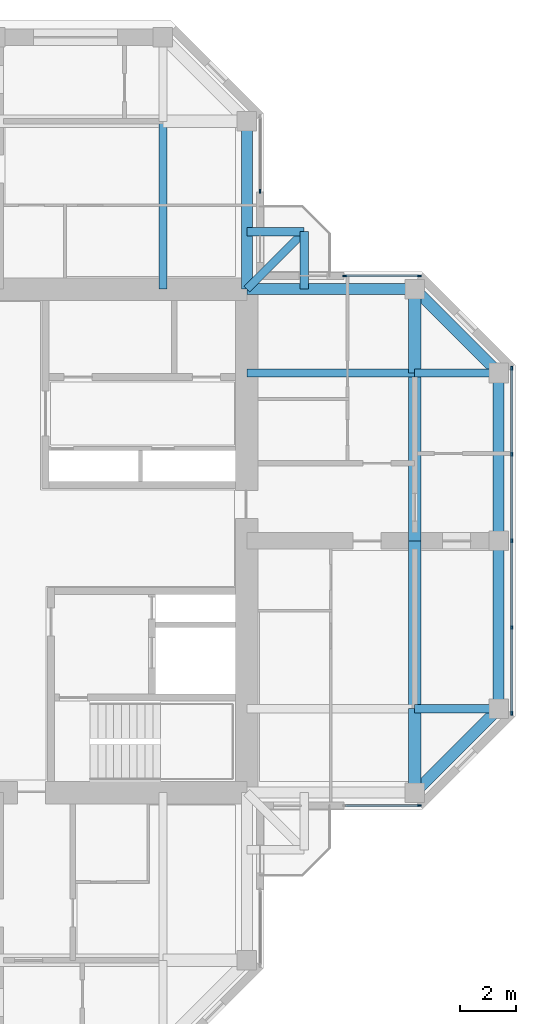
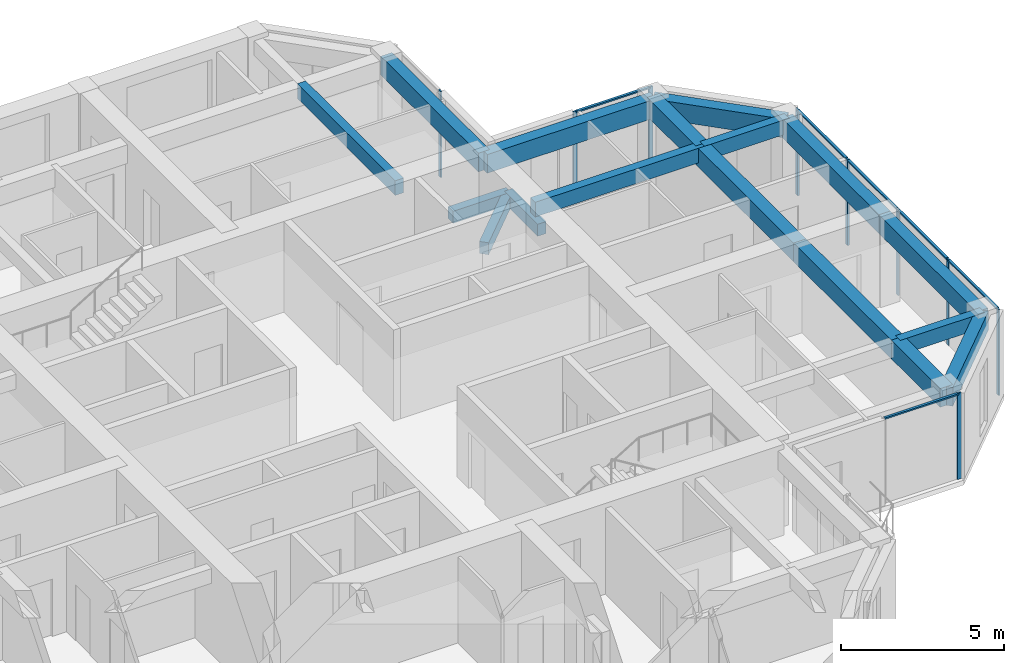
# One storey, part 5 of 13: 17 beams, 15 members, 4 elements without a shape of their own.
"""IFC4 building model written with IfcOpenShell, lengths in metres."""

from ifc_helpers import new_model, si_unit, direction, frame, origin, origin_2d, place, context, subcontext, project, spatial, rectangle, extrude, material, material_profile, profile_set, type_object, element, aggregate, save


model = new_model("IFC4")

# Units and contexts
model_context = context("Model", 3, precision=1e-05, world=origin(), true_north=direction((0.0, 1.0)))
body_context = subcontext(model_context, "Body", "Model", "MODEL_VIEW")
ifc_project = project(units=[si_unit("LENGTHUNIT", "METRE"), si_unit("AREAUNIT", "SQUARE_METRE"), si_unit("VOLUMEUNIT", "CUBIC_METRE"), si_unit("PLANEANGLEUNIT", "RADIAN"), si_unit("MASSUNIT", "GRAM", prefix="KILO")], contexts=[model_context])

# Site, building, storey
site_placement = place(None, origin())
site = spatial("IfcSite", under=ifc_project, at=site_placement, CompositionType="ELEMENT")
building_placement = place(site_placement, origin())
building = spatial("IfcBuilding", under=site, at=building_placement, Name="Torre Cruceta", CompositionType="ELEMENT")
storey_placement = place(building_placement, frame((0.0, 0.0, 278.10009765625)))
storey = spatial("IfcBuildingStorey", under=building, at=storey_placement, Name="L72", CompositionType="ELEMENT", Elevation=278.10009765625)

# Beams
ifc_material_1 = material(Name="Concrete G60 (fck 60 MPa)", Category="concrete")
ifc_material_profile_1 = material_profile(ifc_material_1, rectangle(XDim=0.300048828125, YDim=0.449951171875, at=origin_2d()), Name="RC 300X450")
ifc_profile_set_1 = profile_set([ifc_material_profile_1], Name="Concrete G60 (fck 60 MPa)")
beam_type_1 = type_object("IfcBeamType", Name="BALCONY CANTILEVER BEAM RC 300X450", PredefinedType="BEAM", material=ifc_profile_set_1)
beam_1_placement = place(storey_placement, frame((9.0, 9.0, -0.405029296875), z_axis=(0.707106781187, 0.707106781187, 0.0), x_axis=(-0.707106781187, 0.707106781187, 0.0)))
element("IfcBeam", 1, at=beam_1_placement, inside=storey, type_object=beam_type_1, Name="BB1 balcony beam L72 E", PredefinedType="BEAM", context=body_context, shape_type="SweptSolid", body=[
    extrude(rectangle(XDim=0.300048828125, YDim=0.449951171875, at=origin_2d()), origin(), (0.0, 0.0, 1.0), 2.89990234375),
])
for number, where, z_axis, x_axis, name in (
    (2, (11.050537109375, 9.0, -0.405029296875), (0.0, 1.0, 0.0), (-1.0, 0.0, 0.0), "BB1 balcony edge beam L72 E-X"),
    (3, (9.0, 11.050537109375, -0.405029296875), (1.0, 0.0, 0.0), (0.0, 1.0, 0.0), "BB1 balcony edge beam L72 E-Y"),
):
    element("IfcBeam", number, at=place(storey_placement, frame(where, z_axis=z_axis, x_axis=x_axis)), inside=storey, type_object=beam_type_1, Name=name, PredefinedType="BEAM", context=body_context, shape_type="SweptSolid", body=[
        extrude(rectangle(XDim=0.300048828125, YDim=0.449951171875, at=origin_2d()), origin(), (0.0, 0.0, 1.0), 2.050537109375),
    ])
ifc_material_2 = material(Name="Concrete G60 (fck 60 MPa)", Category="concrete")
ifc_material_profile_2 = material_profile(ifc_material_2, rectangle(XDim=0.300048828125, YDim=0.550048828125, at=origin_2d()), Name="RC 300X550")
ifc_profile_set_2 = profile_set([ifc_material_profile_2], Name="Concrete G60 (fck 60 MPa)")
beam_type_2 = type_object("IfcBeamType", Name="COLUMN LINE BEAM RC 300X550", PredefinedType="BEAM", material=ifc_profile_set_2)
beam_2_placement = place(storey_placement, frame((6.0, 9.0, 2.94482421875), z_axis=(0.0, 1.0, 0.0), x_axis=(-1.0, 0.0, 0.0)))
element("IfcBeam", 4, at=beam_2_placement, inside=storey, type_object=beam_type_2, Name="LB10 L72 N col- 1", PredefinedType="BEAM", context=body_context, shape_type="SweptSolid", body=[
    extrude(rectangle(XDim=0.300048828125, YDim=0.550048828125, at=origin_2d()), origin(), (0.0, 0.0, 1.0), 6.0),
])
beam_3_placement = place(storey_placement, frame((15.0, -6.0, 2.94482421875), z_axis=(1.0, 0.0, 0.0), x_axis=(0.0, 1.0, 0.0)))
element("IfcBeam", 5, at=beam_3_placement, inside=storey, type_object=beam_type_2, Name="LB10 L72 E col- 2", PredefinedType="BEAM", context=body_context, shape_type="SweptSolid", body=[
    extrude(rectangle(XDim=0.300048828125, YDim=0.550048828125, at=origin_2d()), origin(), (0.0, 0.0, 1.0), 3.0),
])
beam_4_placement = place(storey_placement, frame((9.0, 6.0, 2.94482421875), z_axis=(1.0, 0.0, 0.0), x_axis=(0.0, 1.0, 0.0)))
element("IfcBeam", 6, at=beam_4_placement, inside=storey, type_object=beam_type_2, Name="LB10 L72 E col+ 1", PredefinedType="BEAM", context=body_context, shape_type="SweptSolid", body=[
    extrude(rectangle(XDim=0.300048828125, YDim=0.550048828125, at=origin_2d()), origin(), (0.0, 0.0, 1.0), 6.0),
])
beam_5_placement = place(storey_placement, frame((15.0, 6.0, 2.94482421875), z_axis=(1.0, 0.0, 0.0), x_axis=(0.0, 1.0, 0.0)))
element("IfcBeam", 7, at=beam_5_placement, inside=storey, type_object=beam_type_2, Name="LB10 L72 E col+ 2", PredefinedType="BEAM", context=body_context, shape_type="SweptSolid", body=[
    extrude(rectangle(XDim=0.300048828125, YDim=0.550048828125, at=origin_2d()), origin(), (0.0, 0.0, 1.0), 3.0),
])
ifc_material_3 = material(Name="Concrete G60 (fck 60 MPa)", Category="concrete")
ifc_material_profile_3 = material_profile(ifc_material_3, rectangle(XDim=0.449951171875, YDim=0.699951171875, at=origin_2d()), Name="RC 450X700")
ifc_profile_set_3 = profile_set([ifc_material_profile_3], Name="Concrete G60 (fck 60 MPa)")
beam_type_3 = type_object("IfcBeamType", Name="CROSS BEAM RC 450X700", PredefinedType="BEAM", material=ifc_profile_set_3)
beam_6_placement = place(storey_placement, frame((15.0, -9.0, 2.869873046875), z_axis=(0.0, 1.0, 0.0), x_axis=(-1.0, 0.0, 0.0)))
element("IfcBeam", 8, at=beam_6_placement, inside=storey, type_object=beam_type_3, Name="GB8 L72 E cross15 1", PredefinedType="BEAM", context=body_context, shape_type="SweptSolid", body=[
    extrude(rectangle(XDim=0.449951171875, YDim=0.699951171875, at=origin_2d()), origin(), (0.0, 0.0, 1.0), 3.0),
])
for number, where, z_axis, x_axis, name in (
    (9, (15.0, -6.0, 2.869873046875), (0.0, 1.0, 0.0), (-1.0, 0.0, 0.0), "GB8 L72 E cross15 2"),
    (10, (15.0, 0.0, 2.869873046875), (0.0, 1.0, 0.0), (-1.0, 0.0, 0.0), "GB8 L72 E cross15 3"),
):
    element("IfcBeam", number, at=place(storey_placement, frame(where, z_axis=z_axis, x_axis=x_axis)), inside=storey, type_object=beam_type_3, Name=name, PredefinedType="BEAM", context=body_context, shape_type="SweptSolid", body=[
        extrude(rectangle(XDim=0.449951171875, YDim=0.699951171875, at=origin_2d()), origin(), (0.0, 0.0, 1.0), 6.0),
    ])
beam_7_placement = place(storey_placement, frame((15.0, 6.0, 2.869873046875), z_axis=(0.0, 1.0, 0.0), x_axis=(-1.0, 0.0, 0.0)))
element("IfcBeam", 11, at=beam_7_placement, inside=storey, type_object=beam_type_3, Name="GB8 L72 E cross15 4", PredefinedType="BEAM", context=body_context, shape_type="SweptSolid", body=[
    extrude(rectangle(XDim=0.449951171875, YDim=0.699951171875, at=origin_2d()), origin(), (0.0, 0.0, 1.0), 3.0),
])

# Curtain wall, member
ifc_material_4 = material(Name="Aluminium unitised curtain wall", Category="aluminium")
curtain_wall_type = type_object("IfcCurtainWallType", Name="CURTAIN WALL CW-E CO-LIVING TOP", PredefinedType="USERDEFINED", material=ifc_material_4)
curtain_wall_1_placement = place(storey_placement, origin())
curtain_wall_1 = element("IfcCurtainWall", 12, at=curtain_wall_1_placement, inside=storey, type_object=curtain_wall_type, Name="CW-E L72 E side 00", ObjectType="UNITISED", PredefinedType="USERDEFINED")
ifc_material_5 = material(Name="Aluminium mullion", Category="aluminium")
ifc_material_profile_4 = material_profile(ifc_material_5, rectangle(XDim=0.054931640625, YDim=0.139892578125, at=origin_2d()), Name="AL 55X140")
ifc_profile_set_4 = profile_set([ifc_material_profile_4], Name="Aluminium mullion")
member_type_1 = type_object("IfcMemberType", Name="CW-E MULLION 55X140", PredefinedType="MULLION", material=ifc_profile_set_4)
member_1_placement = place(storey_placement, frame((15.167236328125, -9.469970703125, 0.0), z_axis=(0.0, 0.0, 1.0), x_axis=(0.0, 1.0, 0.0)))
member_1 = element("IfcMember", 13, at=member_1_placement, type_object=member_type_1, Name="CW-E mullion 2", PredefinedType="MULLION", context=body_context, shape_type="SweptSolid", body=[
    extrude(rectangle(XDim=0.054931640625, YDim=0.139892578125, at=origin_2d()), origin(), (0.0, 0.0, 1.0), 3.219970703125),
])

# Curtain wall, members
curtain_wall_2_placement = place(storey_placement, origin())
curtain_wall_2 = element("IfcCurtainWall", 14, at=curtain_wall_2_placement, inside=storey, type_object=curtain_wall_type, Name="CW-E L72 E tip 02", ObjectType="UNITISED", PredefinedType="USERDEFINED")
member_2_placement = place(storey_placement, frame((18.469970703125, -6.167236328125, 0.0), z_axis=(0.0, 0.0, 1.0), x_axis=(-1.0, 0.0, 0.0)))
member_2 = element("IfcMember", 15, at=member_2_placement, type_object=member_type_1, Name="CW-E mullion 1", PredefinedType="MULLION", context=body_context, shape_type="SweptSolid", body=[
    extrude(rectangle(XDim=0.054931640625, YDim=0.139892578125, at=origin_2d()), origin(), (0.0, 0.0, 1.0), 3.219970703125),
])
member_3_placement = place(storey_placement, frame((18.469970703125, -3.097412109375, 0.0), z_axis=(0.0, 0.0, 1.0), x_axis=(-1.0, 0.0, 0.0)))
member_3 = element("IfcMember", 16, at=member_3_placement, type_object=member_type_1, Name="CW-E mullion 2", PredefinedType="MULLION", context=body_context, shape_type="SweptSolid", body=[
    extrude(rectangle(XDim=0.054931640625, YDim=0.139892578125, at=origin_2d()), origin(), (0.0, 0.0, 1.0), 3.219970703125),
])
member_4_placement = place(storey_placement, frame((18.469970703125, 0.0, 0.0), z_axis=(0.0, 0.0, 1.0), x_axis=(-1.0, 0.0, 0.0)))
member_4 = element("IfcMember", 17, at=member_4_placement, type_object=member_type_1, Name="CW-E mullion 3", PredefinedType="MULLION", context=body_context, shape_type="SweptSolid", body=[
    extrude(rectangle(XDim=0.054931640625, YDim=0.139892578125, at=origin_2d()), origin(), (0.0, 0.0, 1.0), 3.219970703125),
])
member_5_placement = place(storey_placement, frame((18.469970703125, 3.097412109375, 0.0), z_axis=(0.0, 0.0, 1.0), x_axis=(-1.0, 0.0, 0.0)))
member_5 = element("IfcMember", 18, at=member_5_placement, type_object=member_type_1, Name="CW-E mullion 4", PredefinedType="MULLION", context=body_context, shape_type="SweptSolid", body=[
    extrude(rectangle(XDim=0.054931640625, YDim=0.139892578125, at=origin_2d()), origin(), (0.0, 0.0, 1.0), 3.219970703125),
])
member_6_placement = place(storey_placement, frame((18.469970703125, 6.167236328125, 0.0), z_axis=(0.0, 0.0, 1.0), x_axis=(-1.0, 0.0, 0.0)))
member_6 = element("IfcMember", 19, at=member_6_placement, type_object=member_type_1, Name="CW-E mullion 5", PredefinedType="MULLION", context=body_context, shape_type="SweptSolid", body=[
    extrude(rectangle(XDim=0.054931640625, YDim=0.139892578125, at=origin_2d()), origin(), (0.0, 0.0, 1.0), 3.219970703125),
])

curtain_wall_3_placement = place(storey_placement, origin())
curtain_wall_3 = element("IfcCurtainWall", 20, at=curtain_wall_3_placement, inside=storey, type_object=curtain_wall_type, Name="CW-E L72 E side 04", ObjectType="UNITISED", PredefinedType="USERDEFINED")
member_7_placement = place(storey_placement, frame((15.167236328125, 9.469970703125, 0.0), z_axis=(0.0, 0.0, 1.0), x_axis=(0.0, -1.0, 0.0)))
member_7 = element("IfcMember", 21, at=member_7_placement, type_object=member_type_1, Name="CW-E mullion 1", PredefinedType="MULLION", context=body_context, shape_type="SweptSolid", body=[
    extrude(rectangle(XDim=0.054931640625, YDim=0.139892578125, at=origin_2d()), origin(), (0.0, 0.0, 1.0), 3.219970703125),
])
member_8_placement = place(storey_placement, frame((12.49755859375, 9.469970703125, 0.0), z_axis=(0.0, 0.0, 1.0), x_axis=(0.0, -1.0, 0.0)))
member_8 = element("IfcMember", 22, at=member_8_placement, type_object=member_type_1, Name="CW-E mullion 2", PredefinedType="MULLION", context=body_context, shape_type="SweptSolid", body=[
    extrude(rectangle(XDim=0.054931640625, YDim=0.139892578125, at=origin_2d()), origin(), (0.0, 0.0, 1.0), 3.219970703125),
])

# Curtain wall, member
curtain_wall_4_placement = place(storey_placement, origin())
curtain_wall_4 = element("IfcCurtainWall", 23, at=curtain_wall_4_placement, inside=storey, type_object=curtain_wall_type, Name="CW-E L72 N side 05", ObjectType="UNITISED", PredefinedType="USERDEFINED")
member_9_placement = place(storey_placement, frame((9.469970703125, 12.49755859375, 0.0), z_axis=(0.0, 0.0, 1.0), x_axis=(-1.0, 0.0, 0.0)))
member_9 = element("IfcMember", 24, at=member_9_placement, type_object=member_type_1, Name="CW-E mullion 1", PredefinedType="MULLION", context=body_context, shape_type="SweptSolid", body=[
    extrude(rectangle(XDim=0.054931640625, YDim=0.139892578125, at=origin_2d()), origin(), (0.0, 0.0, 1.0), 3.219970703125),
])
aggregate(curtain_wall_4, [member_9])

# Member
ifc_material_6 = material(Name="Aluminium transom", Category="aluminium")
ifc_material_profile_5 = material_profile(ifc_material_6, rectangle(XDim=0.090087890625, YDim=0.054931640625, at=origin_2d()), Name="AL 90X55")
ifc_profile_set_5 = profile_set([ifc_material_profile_5], Name="Aluminium transom")
member_type_2 = type_object("IfcMemberType", Name="CW-E TRANSOM 55X90", PredefinedType="USERDEFINED", material=ifc_profile_set_5)
member_10_placement = place(storey_placement, frame((12.52490234375, -9.469970703125, 3.1923828125), z_axis=(1.0, 0.0, 0.0), x_axis=(0.0, 1.0, 0.0)))
member_10 = element("IfcMember", 25, at=member_10_placement, type_object=member_type_2, Name="CW-E transom 1", ObjectType="TRANSOM", PredefinedType="USERDEFINED", context=body_context, shape_type="SweptSolid", body=[
    extrude(rectangle(XDim=0.090087890625, YDim=0.054931640625, at=origin_2d()), origin(), (0.0, 0.0, 1.0), 2.61474609375),
])

aggregate(curtain_wall_1, [member_1, member_10])

member_11_placement = place(storey_placement, frame((18.469970703125, -6.1396484375, 3.1923828125), z_axis=(0.0, 1.0, 0.0), x_axis=(-1.0, 0.0, 0.0)))
member_11 = element("IfcMember", 26, at=member_11_placement, type_object=member_type_2, Name="CW-E transom 1", ObjectType="TRANSOM", PredefinedType="USERDEFINED", context=body_context, shape_type="SweptSolid", body=[
    extrude(rectangle(XDim=0.090087890625, YDim=0.054931640625, at=origin_2d()), origin(), (0.0, 0.0, 1.0), 3.014892578125),
])

member_12_placement = place(storey_placement, frame((18.469970703125, -3.06982421875, 3.1923828125), z_axis=(0.0, 1.0, 0.0), x_axis=(-1.0, 0.0, 0.0)))
member_12 = element("IfcMember", 27, at=member_12_placement, type_object=member_type_2, Name="CW-E transom 2", ObjectType="TRANSOM", PredefinedType="USERDEFINED", context=body_context, shape_type="SweptSolid", body=[
    extrude(rectangle(XDim=0.090087890625, YDim=0.054931640625, at=origin_2d()), origin(), (0.0, 0.0, 1.0), 3.042236328125),
])

member_13_placement = place(storey_placement, frame((18.469970703125, 0.027587890625, 3.1923828125), z_axis=(0.0, 1.0, 0.0), x_axis=(-1.0, 0.0, 0.0)))
member_13 = element("IfcMember", 28, at=member_13_placement, type_object=member_type_2, Name="CW-E transom 3", ObjectType="TRANSOM", PredefinedType="USERDEFINED", context=body_context, shape_type="SweptSolid", body=[
    extrude(rectangle(XDim=0.090087890625, YDim=0.054931640625, at=origin_2d()), origin(), (0.0, 0.0, 1.0), 3.042236328125),
])

member_14_placement = place(storey_placement, frame((18.469970703125, 3.124755859375, 3.1923828125), z_axis=(0.0, 1.0, 0.0), x_axis=(-1.0, 0.0, 0.0)))
member_14 = element("IfcMember", 29, at=member_14_placement, type_object=member_type_2, Name="CW-E transom 4", ObjectType="TRANSOM", PredefinedType="USERDEFINED", context=body_context, shape_type="SweptSolid", body=[
    extrude(rectangle(XDim=0.090087890625, YDim=0.054931640625, at=origin_2d()), origin(), (0.0, 0.0, 1.0), 3.014892578125),
])

aggregate(curtain_wall_2, [member_2, member_3, member_4, member_5, member_6, member_11, member_12, member_13, member_14])

member_15_placement = place(storey_placement, frame((15.1396484375, 9.469970703125, 3.1923828125), z_axis=(-1.0, 0.0, 0.0), x_axis=(0.0, -1.0, 0.0)))
member_15 = element("IfcMember", 30, at=member_15_placement, type_object=member_type_2, Name="CW-E transom 1", ObjectType="TRANSOM", PredefinedType="USERDEFINED", context=body_context, shape_type="SweptSolid", body=[
    extrude(rectangle(XDim=0.090087890625, YDim=0.054931640625, at=origin_2d()), origin(), (0.0, 0.0, 1.0), 2.61474609375),
])

aggregate(curtain_wall_3, [member_7, member_8, member_15])

# Beams
ifc_material_7 = material(Name="Concrete G60 (fck 60 MPa)", Category="concrete")
ifc_material_profile_6 = material_profile(ifc_material_7, rectangle(XDim=0.39990234375, YDim=0.699951171875, at=origin_2d()), Name="RC 400X700")
ifc_profile_set_6 = profile_set([ifc_material_profile_6], Name="Concrete G60 (fck 60 MPa)")
beam_type_4 = type_object("IfcBeamType", Name="SPANDREL BEAM RC 400X700", PredefinedType="SPANDREL", material=ifc_profile_set_6)
beam_8_placement = place(storey_placement, frame((9.0, 9.0, 2.869873046875), z_axis=(0.0, 1.0, 0.0), x_axis=(-1.0, 0.0, 0.0)))
element("IfcBeam", 31, at=beam_8_placement, inside=storey, type_object=beam_type_4, Name="SB8 L72 N side- 1", PredefinedType="SPANDREL", context=body_context, shape_type="SweptSolid", body=[
    extrude(rectangle(XDim=0.39990234375, YDim=0.699951171875, at=origin_2d()), origin(), (0.0, 0.0, 1.0), 6.0),
])
beam_9_placement = place(storey_placement, frame((15.0, -9.0, 2.869873046875), z_axis=(0.707106781187, 0.707106781187, 0.0), x_axis=(-0.707106781187, 0.707106781187, 0.0)))
element("IfcBeam", 32, at=beam_9_placement, inside=storey, type_object=beam_type_4, Name="SB8 L72 E side- 2", PredefinedType="SPANDREL", context=body_context, shape_type="SweptSolid", body=[
    extrude(rectangle(XDim=0.39990234375, YDim=0.699951171875, at=origin_2d()), origin(), (0.0, 0.0, 1.0), 4.24267578125),
])
beam_10_placement = place(storey_placement, frame((9.0, 9.0, 2.869873046875), z_axis=(1.0, 0.0, 0.0), x_axis=(0.0, 1.0, 0.0)))
element("IfcBeam", 33, at=beam_10_placement, inside=storey, type_object=beam_type_4, Name="SB8 L72 E side+ 1", PredefinedType="SPANDREL", context=body_context, shape_type="SweptSolid", body=[
    extrude(rectangle(XDim=0.39990234375, YDim=0.699951171875, at=origin_2d()), origin(), (0.0, 0.0, 1.0), 6.0),
])
beam_11_placement = place(storey_placement, frame((15.0, 9.0, 2.869873046875), z_axis=(0.707106781187, -0.707106781187, 0.0), x_axis=(0.707106781187, 0.707106781187, 0.0)))
element("IfcBeam", 34, at=beam_11_placement, inside=storey, type_object=beam_type_4, Name="SB8 L72 E side+ 2", PredefinedType="SPANDREL", context=body_context, shape_type="SweptSolid", body=[
    extrude(rectangle(XDim=0.39990234375, YDim=0.699951171875, at=origin_2d()), origin(), (0.0, 0.0, 1.0), 4.24267578125),
])
for number, where, z_axis, x_axis, name in (
    (35, (18.0, -6.0, 2.869873046875), (0.0, 1.0, 0.0), (-1.0, 0.0, 0.0), "SB8 L72 E tip 1"),
    (36, (18.0, 0.0, 2.869873046875), (0.0, 1.0, 0.0), (-1.0, 0.0, 0.0), "SB8 L72 E tip 2"),
):
    element("IfcBeam", number, at=place(storey_placement, frame(where, z_axis=z_axis, x_axis=x_axis)), inside=storey, type_object=beam_type_4, Name=name, PredefinedType="SPANDREL", context=body_context, shape_type="SweptSolid", body=[
        extrude(rectangle(XDim=0.39990234375, YDim=0.699951171875, at=origin_2d()), origin(), (0.0, 0.0, 1.0), 6.0),
    ])

save(model, "model.ifc")
